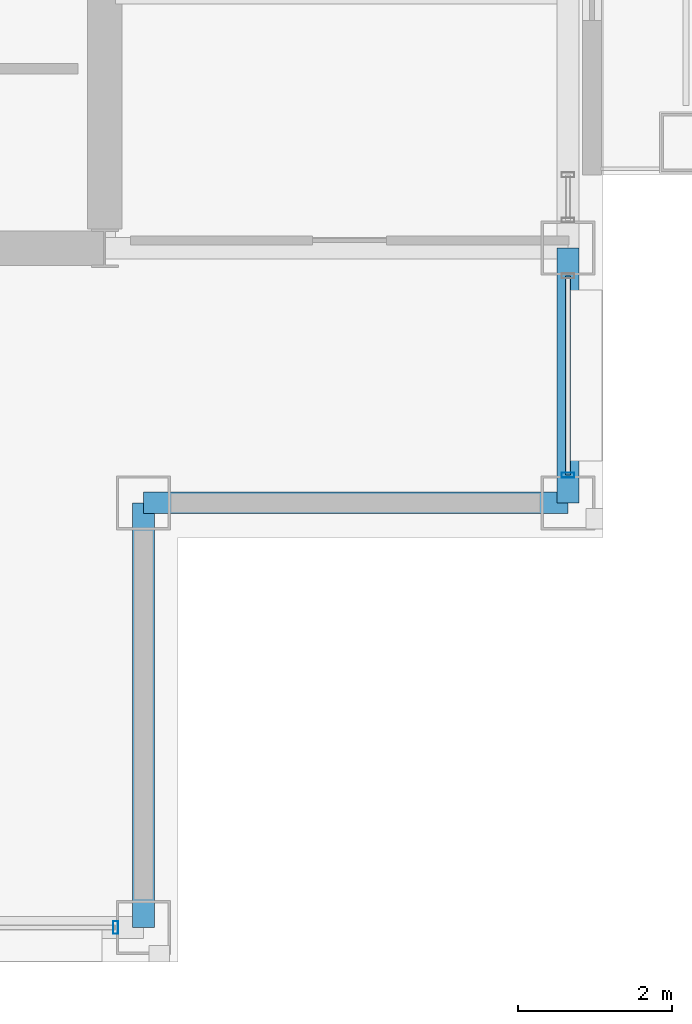
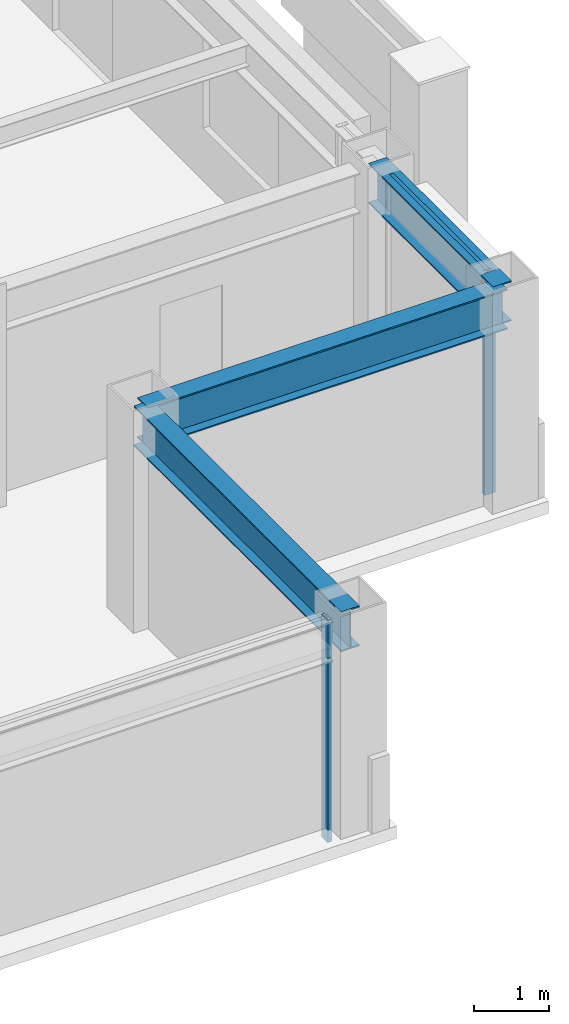
# One storey, part 12 of 30: 3 beams, 3 members, 2 elements without a shape of their own.
"""IFC4 building model written with IfcOpenShell, lengths in metres."""

import ifcopenshell
import ifcopenshell.guid

model = None  # the IFC model being written
_history = None  # IfcOwnerHistory: only IFC2X3 demands one
_inside = {}  # id of a spatial element -> (the spatial element, [elements in it])
_under = {}  # id of a project, library or spatial element -> (it, [spatial elements below it])
_declared = {}  # id of a project -> (the project, [libraries it declares])
_typed = {}  # id of a type object -> (the type object, [elements of that type])
_made_of = {}  # id of a material, layer set ... -> (it, [elements and type objects made of it])


def new_model(schema):
    """Start an empty IFC model of exactly this schema.

    Asked for "IFC4X3", IfcOpenShell would pick the latest addendum, in which some entities
    have other attributes; the version numbers below select the first issue.
    IFC2X3 requires an IfcOwnerHistory on every rooted entity: one is made here for all.
    """
    global model, _history
    if schema == "IFC4X3":
        model = ifcopenshell.file(schema_version=(4, 3, 0, 0))
    else:
        model = ifcopenshell.file(schema=schema)
    _inside.clear()
    _under.clear()
    _declared.clear()
    _typed.clear()
    _made_of.clear()
    _history = None
    if model.schema == "IFC2X3":
        org = make("IfcOrganization", Name="unknown")
        user = make(
            "IfcPersonAndOrganization",
            ThePerson=make("IfcPerson", FamilyName="unknown"),
            TheOrganization=org,
        )
        app = make(
            "IfcApplication",
            ApplicationDeveloper=org,
            Version="unknown",
            ApplicationFullName="unknown",
            ApplicationIdentifier="unknown",
        )
        _history = make(
            "IfcOwnerHistory",
            OwningUser=user,
            OwningApplication=app,
            ChangeAction="ADDED",
            CreationDate=0,
        )
    return model


def make(cls, **values):
    """One entity of the class cls with the attributes given. An attribute that is None is left unset."""
    return model.create_entity(
        cls, **{name: value for name, value in values.items() if value is not None}
    )


def rooted(cls, **values):
    """An entity with a GlobalId (a new one), such as an element, a storey or a relation."""
    return make(cls, GlobalId=ifcopenshell.guid.new(), OwnerHistory=_history, **values)


def si_unit(unit_type, name, prefix=None):
    """IfcSIUnit, for example si_unit("LENGTHUNIT", "METRE", prefix="MILLI")."""
    return make("IfcSIUnit", UnitType=unit_type, Prefix=prefix, Name=name)


def assignment(units):
    """IfcUnitAssignment: the units of a project."""
    return None if units is None else make("IfcUnitAssignment", Units=units)


def point(xyz):
    """IfcCartesianPoint."""
    return None if xyz is None else make("IfcCartesianPoint", Coordinates=xyz)


def direction(xyz):
    """IfcDirection."""
    return None if xyz is None else make("IfcDirection", DirectionRatios=xyz)


def frame(location, z_axis=None, x_axis=None):
    """IfcAxis2Placement3D, a coordinate frame: its origin and axes. An axis left out is left unset."""
    return make(
        "IfcAxis2Placement3D",
        Location=point(location),
        Axis=direction(z_axis),
        RefDirection=direction(x_axis),
    )


def frame_2d(location, x_axis=None):
    """IfcAxis2Placement2D, a coordinate frame in the plane: its origin and x axis."""
    return make(
        "IfcAxis2Placement2D", Location=point(location), RefDirection=direction(x_axis)
    )


def origin():
    """The frame at (0, 0, 0) with its axes left unset."""
    return frame((0.0, 0.0, 0.0))


def origin_2d():
    """The frame at (0, 0) in the plane with its x axis left unset."""
    return frame_2d((0.0, 0.0))


def place(relative_to, where):
    """IfcLocalPlacement: puts the frame where relative to a parent placement (None: the world)."""
    return make(
        "IfcLocalPlacement", PlacementRelTo=relative_to, RelativePlacement=where
    )


def context(
    kind, dimensions, precision=None, world=None, true_north=None, identifier=None
):
    """IfcGeometricRepresentationContext, for example the 3D "Model" context."""
    return make(
        "IfcGeometricRepresentationContext",
        ContextIdentifier=identifier,
        ContextType=kind,
        CoordinateSpaceDimension=dimensions,
        Precision=precision,
        WorldCoordinateSystem=world,
        TrueNorth=true_north,
    )


def subcontext(parent, identifier, kind, view, scale=None):
    """IfcGeometricRepresentationSubContext, for example "Body" below "Model"."""
    return make(
        "IfcGeometricRepresentationSubContext",
        ContextIdentifier=identifier,
        ContextType=kind,
        ParentContext=parent,
        TargetScale=scale,
        TargetView=view,
    )


def project(units=None, contexts=None):
    """IfcProject with its units and contexts."""
    return rooted(
        "IfcProject",
        Name="project",
        RepresentationContexts=contexts,
        UnitsInContext=assignment(units),
    )


def spatial(cls, under=None, at=None, **own):
    """A site, building, storey or space (cls), placed at a placement, below another one or the project."""
    s = rooted(cls, ObjectPlacement=at, **own)
    if under is not None:
        _under.setdefault(under.id(), (under, []))[1].append(s)
    return s


def profile(cls, at=None, kind="AREA", **sizes):
    """A parametric profile (cls). Its sizes go by their IFC names, for example OverallWidth=200.0."""
    return make(cls, ProfileType=kind, Position=at, **sizes)


def hollow_rectangle(**sizes):
    """IfcRectangleHollowProfileDef."""
    return profile("IfcRectangleHollowProfileDef", **sizes)


def i_section(**sizes):
    """IfcIShapeProfileDef."""
    return profile("IfcIShapeProfileDef", **sizes)


def extrude(swept, where, along, depth):
    """IfcExtrudedAreaSolid: the profile swept, set in the frame where, extruded along a direction by depth."""
    return make(
        "IfcExtrudedAreaSolid",
        SweptArea=swept,
        Position=where,
        ExtrudedDirection=direction(along),
        Depth=depth,
    )


def shape(context_of_items, identifier, shape_type, items):
    """IfcShapeRepresentation: the items that make up one representation, for example the "Body"."""
    return make(
        "IfcShapeRepresentation",
        ContextOfItems=context_of_items,
        RepresentationIdentifier=identifier,
        RepresentationType=shape_type,
        Items=items,
    )


def material(Name=None, Category=None):
    """IfcMaterial."""
    return make("IfcMaterial", Name=Name, Category=Category)


def layer(
    of_material, thickness, ventilated=None, Name=None, Category=None, Priority=None
):
    """IfcMaterialLayer: one layer of a wall or slab, of a material (None: an air gap)."""
    return make(
        "IfcMaterialLayer",
        Material=of_material,
        LayerThickness=thickness,
        IsVentilated=ventilated,
        Name=Name,
        Category=Category,
        Priority=Priority,
    )


def layer_set(layers, Name=None):
    """IfcMaterialLayerSet."""
    return make("IfcMaterialLayerSet", MaterialLayers=layers, LayerSetName=Name)


def material_profile(
    of_material, cross_section, Name=None, Category=None, Priority=None
):
    """IfcMaterialProfile: a cross section and its material."""
    return make(
        "IfcMaterialProfile",
        Name=Name,
        Material=of_material,
        Profile=cross_section,
        Priority=Priority,
        Category=Category,
    )


def profile_set(profiles, Name=None, composite=None):
    """IfcMaterialProfileSet."""
    return make(
        "IfcMaterialProfileSet",
        Name=Name,
        MaterialProfiles=profiles,
        CompositeProfile=composite,
    )


def made_of(thing, what):
    """Note that an element or type object is made of a material, layer set ...; save() writes the relation."""
    if what is not None:
        _made_of.setdefault(what.id(), (what, []))[1].append(thing)
    return thing


def type_object(cls, material=None, **own):
    """A type object (cls), such as IfcWallType, which elements share."""
    return made_of(rooted(cls, **own), material)


def element(
    cls,
    number,
    at=None,
    inside=None,
    cuts=None,
    type_object=None,
    material=None,
    context=None,
    identifier="Body",
    shape_type=None,
    held_by="IfcProductDefinitionShape",
    body=None,
    shapes=None,
    **own,
):
    """One element of the class cls, such as IfcWall. Its Tag is "e" and its number.

    at: its placement. inside: the storey or other place that contains it. cuts: it is an
    opening in that element (IfcRelVoidsElement). A single representation is given by context,
    identifier, shape_type and body (its items); several are given by shapes. held_by: the class
    of the entity that holds the representations. save() writes the other relations.
    """
    e = rooted(cls, Tag="e%d" % number, ObjectPlacement=at, **own)
    if body is not None:
        shapes = [shape(context, identifier, shape_type, body)]
    if shapes is not None:
        e.Representation = make(held_by, Representations=shapes)
    if inside is not None:
        _inside.setdefault(inside.id(), (inside, []))[1].append(e)
    if cuts is not None:
        rooted(
            "IfcRelVoidsElement", RelatingBuildingElement=cuts, RelatedOpeningElement=e
        )
    if type_object is not None:
        _typed.setdefault(type_object.id(), (type_object, []))[1].append(e)
    return made_of(e, material)


def aggregate(whole, parts):
    """IfcRelAggregates: a whole, such as a stair, and the parts it consists of."""
    return rooted("IfcRelAggregates", RelatingObject=whole, RelatedObjects=parts)


def save(model, path):
    """Write the relations noted so far, then the file.

    IfcRelAggregates (storeys below a building ...), IfcRelContainedInSpatialStructure (elements
    in a storey), IfcRelDefinesByType, IfcRelAssociatesMaterial and IfcRelDeclares: one each for
    every whole, place, type object, material and project.
    """
    for whole, parts in _under.values():
        aggregate(whole, parts)
    for where, things in _inside.values():
        rooted(
            "IfcRelContainedInSpatialStructure",
            RelatedElements=things,
            RelatingStructure=where,
        )
    for kind, things in _typed.values():
        rooted("IfcRelDefinesByType", RelatedObjects=things, RelatingType=kind)
    for what, things in _made_of.values():
        rooted("IfcRelAssociatesMaterial", RelatedObjects=things, RelatingMaterial=what)
    for by, libraries in _declared.values():
        rooted("IfcRelDeclares", RelatingContext=by, RelatedDefinitions=libraries)
    model.write(path)


model = new_model("IFC4")

# Units and contexts
model_context = context("Model", 3, precision=1e-05, world=origin(), true_north=direction((0.0, 1.0)))
body_context = subcontext(model_context, "Body", "Model", "MODEL_VIEW")
ifc_project = project(units=[si_unit("LENGTHUNIT", "METRE"), si_unit("AREAUNIT", "SQUARE_METRE"), si_unit("VOLUMEUNIT", "CUBIC_METRE"), si_unit("PLANEANGLEUNIT", "RADIAN"), si_unit("MASSUNIT", "GRAM", prefix="KILO")], contexts=[model_context])

# Site, building, storey
site_placement = place(None, origin())
site = spatial("IfcSite", under=ifc_project, at=site_placement, CompositionType="ELEMENT")
building_placement = place(site_placement, origin())
building = spatial("IfcBuilding", under=site, at=building_placement, Name="Brelmoor Portico Tower", CompositionType="ELEMENT")
storey_placement = place(building_placement, frame((0.0, 0.0, 187.5)))
storey = spatial("IfcBuildingStorey", under=building, at=storey_placement, Name="L49", CompositionType="ELEMENT", Elevation=187.5)

# Beams
ifc_material_1 = material(Name="Steel Q355B", Category="steel")
ifc_material_profile_1 = material_profile(ifc_material_1, i_section(OverallWidth=0.280029296875, OverallDepth=0.64990234375, WebThickness=0.012939453125, FlangeThickness=0.02197265625, at=origin_2d()), Name="HN 650x280x13x22")
ifc_profile_set_1 = profile_set([ifc_material_profile_1], Name="Steel Q355B")
beam_type = type_object("IfcBeamType", Name="BM-SP-650", PredefinedType="SPANDREL", material=ifc_profile_set_1)
for number, where, z_axis, x_axis, name in (
    (1, (15.050048828125, -13.050048828125, 3.074951171875), (1.0, 0.0, 0.0), (0.0, 1.0, 0.0), "L49 Perimeter Spandrel Beam SP-05"),
    (2, (15.050048828125, -18.550048828125, 3.074951171875), (0.0, 1.0, 0.0), (-1.0, 0.0, 0.0), "L49 Perimeter Spandrel Beam SP-16"),
):
    element("IfcBeam", number, at=place(storey_placement, frame(where, z_axis=z_axis, x_axis=x_axis)), inside=storey, type_object=beam_type, Name=name, PredefinedType="SPANDREL", context=body_context, shape_type="SweptSolid", body=[
        extrude(i_section(OverallWidth=0.280029296875, OverallDepth=0.64990234375, WebThickness=0.012939453125, FlangeThickness=0.02197265625, at=origin_2d()), origin(), (0.0, 0.0, 1.0), 5.5),
    ])
beam_placement = place(storey_placement, frame((20.550048828125, -13.050048828125, 3.074951171875), z_axis=(0.0, 1.0, 0.0), x_axis=(-1.0, 0.0, 0.0)))
element("IfcBeam", 3, at=beam_placement, inside=storey, type_object=beam_type, Name="L49 Perimeter Spandrel Beam SP-18", PredefinedType="SPANDREL", context=body_context, shape_type="SweptSolid", body=[
    extrude(i_section(OverallWidth=0.280029296875, OverallDepth=0.64990234375, WebThickness=0.012939453125, FlangeThickness=0.02197265625, at=origin_2d()), origin(), (0.0, 0.0, 1.0), 3.300048828125),
])

# Curtain wall, member
ifc_material_2 = material(Name="Anodised Aluminium Alloy 6063-T6", Category="aluminium")
ifc_layer = layer(ifc_material_2, 0.179931640625)
ifc_layer_set = layer_set([ifc_layer], Name="Anodised Aluminium Alloy 6063-T6")
curtain_wall_type = type_object("IfcCurtainWallType", Name="CW-TOWER-Z3-XB", PredefinedType="NOTDEFINED", material=ifc_layer_set)
curtain_wall_1_placement = place(storey_placement, origin())
curtain_wall_1 = element("IfcCurtainWall", 4, at=curtain_wall_1_placement, inside=storey, type_object=curtain_wall_type, Name="L49 Curtain Wall CW-L49-01-3", PredefinedType="NOTDEFINED")
ifc_material_profile_2 = material_profile(ifc_material_2, hollow_rectangle(XDim=0.06494140625, YDim=0.1650390625, WallThickness=0.00390625, at=origin_2d()), Name="ALU MULLION 65x165")
ifc_profile_set_2 = profile_set([ifc_material_profile_2], Name="Anodised Aluminium Alloy 6063-T6")
member_type_1 = type_object("IfcMemberType", Name="MB-CW-MULL-165", PredefinedType="MULLION", material=ifc_profile_set_2)
member_1_placement = place(storey_placement, frame((14.68994140625, -18.550048828125, -0.199951171875), z_axis=(0.0, 0.0, 1.0), x_axis=(1.0, 0.0, 0.0)))
member_1 = element("IfcMember", 5, at=member_1_placement, type_object=member_type_1, Name="CW-L49-01-3 Mullion 01", PredefinedType="MULLION", context=body_context, shape_type="SweptSolid", body=[
    extrude(hollow_rectangle(XDim=0.06494140625, YDim=0.1650390625, WallThickness=0.00390625, at=origin_2d()), origin(), (0.0, 0.0, 1.0), 3.599853515625),
])
aggregate(curtain_wall_1, [member_1])

# Curtain wall, members
curtain_wall_2_placement = place(storey_placement, origin())
curtain_wall_2 = element("IfcCurtainWall", 6, at=curtain_wall_2_placement, inside=storey, type_object=curtain_wall_type, Name="L49 Curtain Wall CW-L49-4L-1", PredefinedType="NOTDEFINED")
member_2_placement = place(storey_placement, frame((20.550048828125, -12.68994140625, -0.199951171875), z_axis=(0.0, 0.0, 1.0), x_axis=(0.0, 1.0, 0.0)))
member_2 = element("IfcMember", 7, at=member_2_placement, type_object=member_type_1, Name="CW-L49-4L-1 Mullion 00", PredefinedType="MULLION", context=body_context, shape_type="SweptSolid", body=[
    extrude(hollow_rectangle(XDim=0.06494140625, YDim=0.1650390625, WallThickness=0.00390625, at=origin_2d()), origin(), (0.0, 0.0, 1.0), 3.599853515625),
])
ifc_material_profile_3 = material_profile(ifc_material_2, hollow_rectangle(XDim=0.06005859375, YDim=0.125, WallThickness=0.00341796875, at=origin_2d()), Name="ALU TRANSOM 60x125")
ifc_profile_set_3 = profile_set([ifc_material_profile_3], Name="Anodised Aluminium Alloy 6063-T6")
member_type_2 = type_object("IfcMemberType", Name="MB-CW-TRAN-125", PredefinedType="USERDEFINED", material=ifc_profile_set_3)
member_3_placement = place(storey_placement, frame((20.550048828125, -12.68994140625, 3.33740234375), z_axis=(0.0, 1.0, 0.0), x_axis=(-1.0, 0.0, 0.0)))
member_3 = element("IfcMember", 8, at=member_3_placement, type_object=member_type_2, Name="CW-L49-4L-1 Transom 1-00", ObjectType="TRANSOM", PredefinedType="USERDEFINED", context=body_context, shape_type="SweptSolid", body=[
    extrude(hollow_rectangle(XDim=0.06005859375, YDim=0.125, WallThickness=0.00341796875, at=origin_2d()), origin(), (0.0, 0.0, 1.0), 2.579833984375),
])
aggregate(curtain_wall_2, [member_2, member_3])

save(model, "model.ifc")
